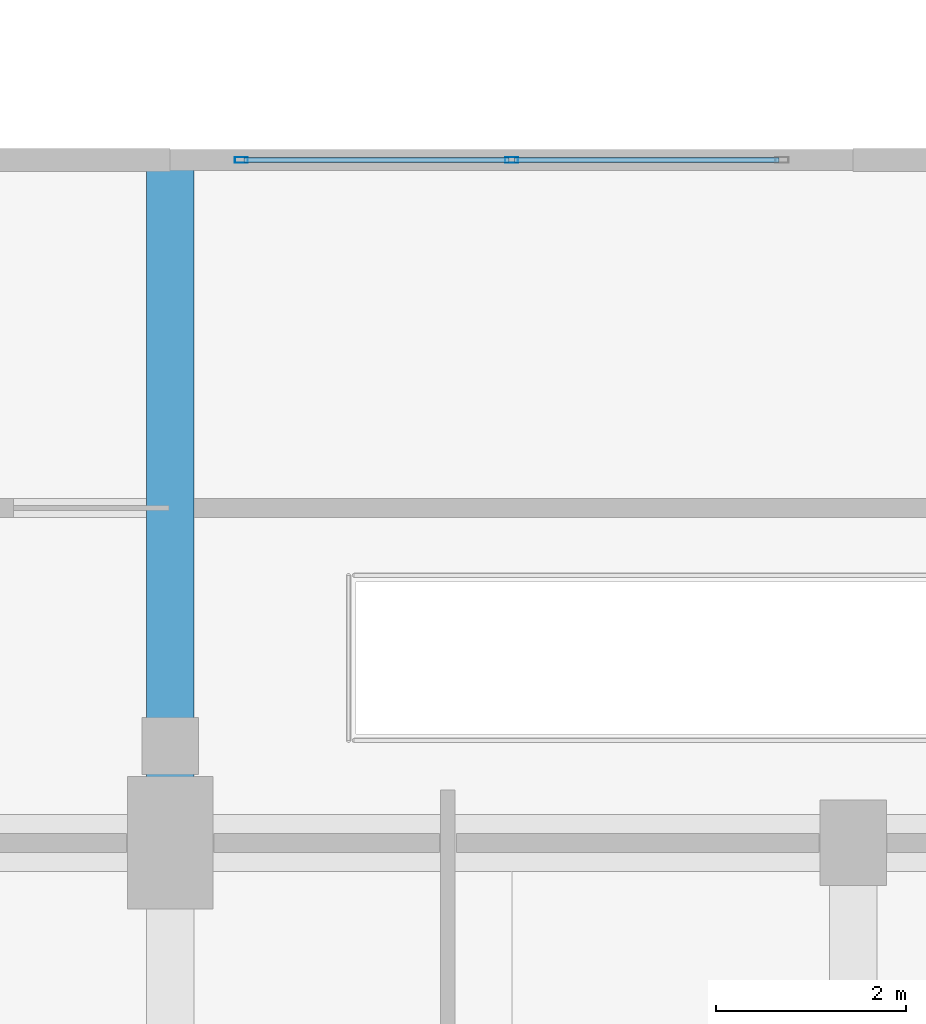
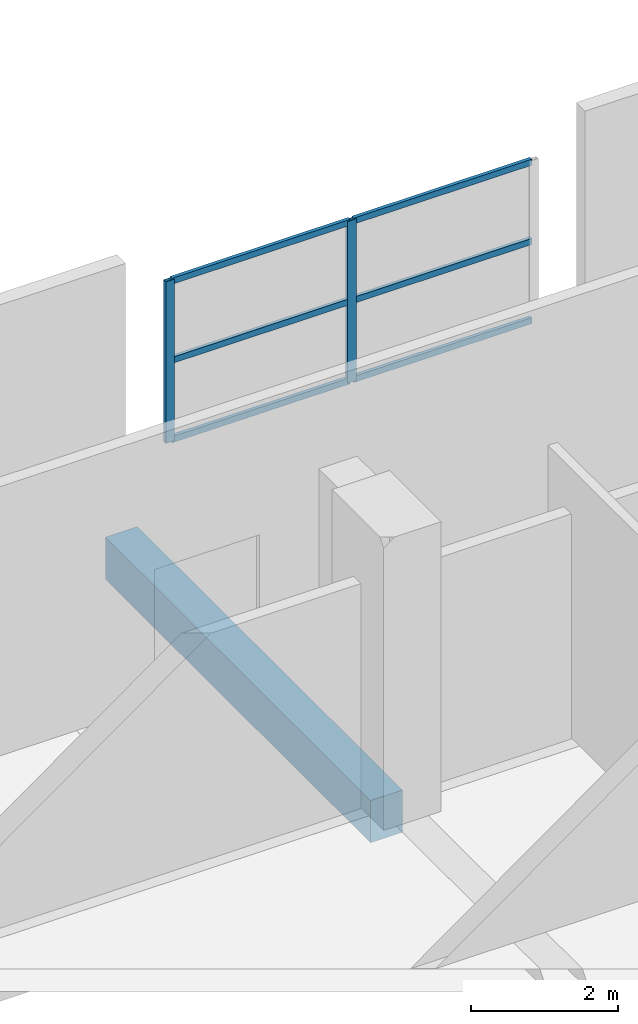
# One storey, part 78 of 181: 8 members, 1 beam, 1 element without a shape of its own.
"""IFC4 building model written with IfcOpenShell, lengths in metres."""

from ifc_helpers import new_model, si_unit, direction, frame, origin, origin_2d, place, context, subcontext, project, spatial, rectangle, hollow_rectangle, extrude, material, layer, layer_set, material_profile, profile_set, type_object, element, aggregate, save


model = new_model("IFC4")

# Units and contexts
model_context = context("Model", 3, precision=1e-05, world=origin(), true_north=direction((0.0, 1.0)))
body_context = subcontext(model_context, "Body", "Model", "MODEL_VIEW")
ifc_project = project(units=[si_unit("LENGTHUNIT", "METRE"), si_unit("AREAUNIT", "SQUARE_METRE"), si_unit("VOLUMEUNIT", "CUBIC_METRE"), si_unit("PLANEANGLEUNIT", "RADIAN"), si_unit("MASSUNIT", "GRAM", prefix="KILO")], contexts=[model_context])

# Site, building, storey
site_placement = place(None, origin())
site = spatial("IfcSite", under=ifc_project, at=site_placement, CompositionType="ELEMENT")
building_placement = place(site_placement, origin())
building = spatial("IfcBuilding", under=site, at=building_placement, Name="Seraya Terrace Polytechnic", CompositionType="ELEMENT")
storey_placement = place(building_placement, frame((0.0, 0.0, 4.800048828125)))
storey = spatial("IfcBuildingStorey", under=building, at=storey_placement, Name="L01", CompositionType="ELEMENT", Elevation=4.800048828125)

# Beam
ifc_material_1 = material(Name="Concrete C40/50", Category="concrete")
ifc_material_profile_1 = material_profile(ifc_material_1, rectangle(XDim=0.5, YDim=0.699951171875, at=origin_2d()), Name="RC 500x700")
ifc_profile_set_1 = profile_set([ifc_material_profile_1], Name="Concrete C40/50")
beam_type = type_object("IfcBeamType", Name="BM-07", PredefinedType="BEAM", material=ifc_profile_set_1)
beam_placement = place(storey_placement, frame((57.60009765625, 79.199951171875, -0.35009765625), z_axis=(0.0, 1.0, 0.0), x_axis=(-1.0, 0.0, 0.0)))
element("IfcBeam", 1, at=beam_placement, inside=storey, type_object=beam_type, Name="Beam BM-07 L01 Y (57.6, 79.2..86.4)", PredefinedType="BEAM", context=body_context, shape_type="SweptSolid", body=[
    extrude(rectangle(XDim=0.5, YDim=0.699951171875, at=origin_2d()), origin(), (0.0, 0.0, 1.0), 7.199951171875),
])

# Curtain wall, members
ifc_material_2 = material(Name="Anodised aluminium EN AW-6063 T6", Category="aluminium")
ifc_layer = layer(ifc_material_2, 0.179931640625, Name="CW-12")
ifc_layer_set = layer_set([ifc_layer], Name="Anodised aluminium EN AW-6063 T6")
curtain_wall_type = type_object("IfcCurtainWallType", Name="CW-12", PredefinedType="NOTDEFINED", material=ifc_layer_set)
curtain_wall_placement = place(storey_placement, origin())
curtain_wall = element("IfcCurtainWall", 2, at=curtain_wall_placement, inside=storey, type_object=curtain_wall_type, Name="Unitised curtain wall CW-12 (CW-L01-012)", PredefinedType="NOTDEFINED")
ifc_material_profile_2 = material_profile(ifc_material_2, hollow_rectangle(XDim=0.06005859375, YDim=0.139892578125, WallThickness=0.00341796875, at=origin_2d()), Name="RHS 140x60x3.5")
ifc_profile_set_2 = profile_set([ifc_material_profile_2], Name="Anodised aluminium EN AW-6063 T6")
member_type_1 = type_object("IfcMemberType", Name="CWM-03", PredefinedType="MULLION", material=ifc_profile_set_2)
member_1_placement = place(storey_placement, frame((58.35009765625, 86.39990234375, 1.239990234375), z_axis=(0.0, 0.0, 1.0), x_axis=(0.0, 1.0, 0.0)))
member_1 = element("IfcMember", 3, at=member_1_placement, type_object=member_type_1, Name="CW-12 mullion 1", PredefinedType="MULLION", context=body_context, shape_type="SweptSolid", body=[
    extrude(hollow_rectangle(XDim=0.06005859375, YDim=0.139892578125, WallThickness=0.00341796875, at=origin_2d()), origin(), (0.0, 0.0, 1.0), 2.679931640625),
])
member_2_placement = place(storey_placement, frame((61.199951171875, 86.39990234375, 1.239990234375), z_axis=(0.0, 0.0, 1.0), x_axis=(0.0, 1.0, 0.0)))
member_2 = element("IfcMember", 4, at=member_2_placement, type_object=member_type_1, Name="CW-12 mullion 2", PredefinedType="MULLION", context=body_context, shape_type="SweptSolid", body=[
    extrude(hollow_rectangle(XDim=0.06005859375, YDim=0.139892578125, WallThickness=0.00341796875, at=origin_2d()), origin(), (0.0, 0.0, 1.0), 2.679931640625),
])
ifc_material_profile_3 = material_profile(ifc_material_2, hollow_rectangle(XDim=0.054931640625, YDim=0.10009765625, WallThickness=0.0029296875, at=origin_2d()), Name="RHS 100x55x3.0")
ifc_profile_set_3 = profile_set([ifc_material_profile_3], Name="Anodised aluminium EN AW-6063 T6")
member_type_2 = type_object("IfcMemberType", Name="CWT-03", PredefinedType="USERDEFINED", material=ifc_profile_set_3)
member_3_placement = place(storey_placement, frame((58.3798828125, 86.39990234375, 1.267333984375), z_axis=(1.0, 0.0, 0.0), x_axis=(0.0, 1.0, 0.0)))
member_3 = element("IfcMember", 5, at=member_3_placement, type_object=member_type_2, Name="CW-12 transom 1.1", ObjectType="TRANSOM", PredefinedType="USERDEFINED", context=body_context, shape_type="SweptSolid", body=[
    extrude(hollow_rectangle(XDim=0.054931640625, YDim=0.10009765625, WallThickness=0.0029296875, at=origin_2d()), origin(), (0.0, 0.0, 1.0), 2.7900390625),
])
member_4_placement = place(storey_placement, frame((58.3798828125, 86.39990234375, 2.579833984375), z_axis=(1.0, 0.0, 0.0), x_axis=(0.0, 1.0, 0.0)))
member_4 = element("IfcMember", 6, at=member_4_placement, type_object=member_type_2, Name="CW-12 transom 1.2", ObjectType="TRANSOM", PredefinedType="USERDEFINED", context=body_context, shape_type="SweptSolid", body=[
    extrude(hollow_rectangle(XDim=0.054931640625, YDim=0.10009765625, WallThickness=0.0029296875, at=origin_2d()), origin(), (0.0, 0.0, 1.0), 2.7900390625),
])
member_5_placement = place(storey_placement, frame((58.3798828125, 86.39990234375, 3.892333984375), z_axis=(1.0, 0.0, 0.0), x_axis=(0.0, 1.0, 0.0)))
member_5 = element("IfcMember", 7, at=member_5_placement, type_object=member_type_2, Name="CW-12 transom 1.3", ObjectType="TRANSOM", PredefinedType="USERDEFINED", context=body_context, shape_type="SweptSolid", body=[
    extrude(hollow_rectangle(XDim=0.054931640625, YDim=0.10009765625, WallThickness=0.0029296875, at=origin_2d()), origin(), (0.0, 0.0, 1.0), 2.7900390625),
])
member_6_placement = place(storey_placement, frame((61.22998046875, 86.39990234375, 1.267333984375), z_axis=(1.0, 0.0, 0.0), x_axis=(0.0, 1.0, 0.0)))
member_6 = element("IfcMember", 8, at=member_6_placement, type_object=member_type_2, Name="CW-12 transom 2.1", ObjectType="TRANSOM", PredefinedType="USERDEFINED", context=body_context, shape_type="SweptSolid", body=[
    extrude(hollow_rectangle(XDim=0.054931640625, YDim=0.10009765625, WallThickness=0.0029296875, at=origin_2d()), origin(), (0.0, 0.0, 1.0), 2.7900390625),
])
member_7_placement = place(storey_placement, frame((61.22998046875, 86.39990234375, 2.579833984375), z_axis=(1.0, 0.0, 0.0), x_axis=(0.0, 1.0, 0.0)))
member_7 = element("IfcMember", 9, at=member_7_placement, type_object=member_type_2, Name="CW-12 transom 2.2", ObjectType="TRANSOM", PredefinedType="USERDEFINED", context=body_context, shape_type="SweptSolid", body=[
    extrude(hollow_rectangle(XDim=0.054931640625, YDim=0.10009765625, WallThickness=0.0029296875, at=origin_2d()), origin(), (0.0, 0.0, 1.0), 2.7900390625),
])
member_8_placement = place(storey_placement, frame((61.22998046875, 86.39990234375, 3.892333984375), z_axis=(1.0, 0.0, 0.0), x_axis=(0.0, 1.0, 0.0)))
member_8 = element("IfcMember", 10, at=member_8_placement, type_object=member_type_2, Name="CW-12 transom 2.3", ObjectType="TRANSOM", PredefinedType="USERDEFINED", context=body_context, shape_type="SweptSolid", body=[
    extrude(hollow_rectangle(XDim=0.054931640625, YDim=0.10009765625, WallThickness=0.0029296875, at=origin_2d()), origin(), (0.0, 0.0, 1.0), 2.7900390625),
])
aggregate(curtain_wall, [member_1, member_2, member_3, member_4, member_5, member_6, member_7, member_8])

save(model, "model.ifc")
